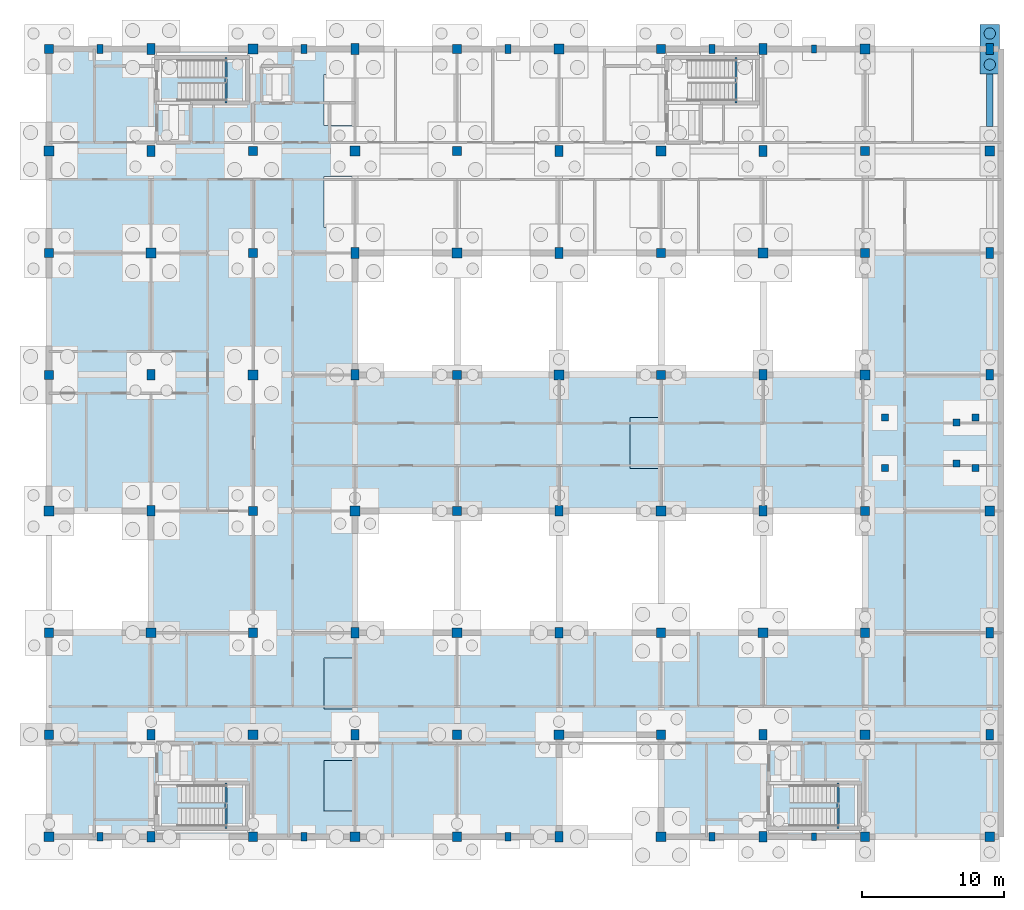
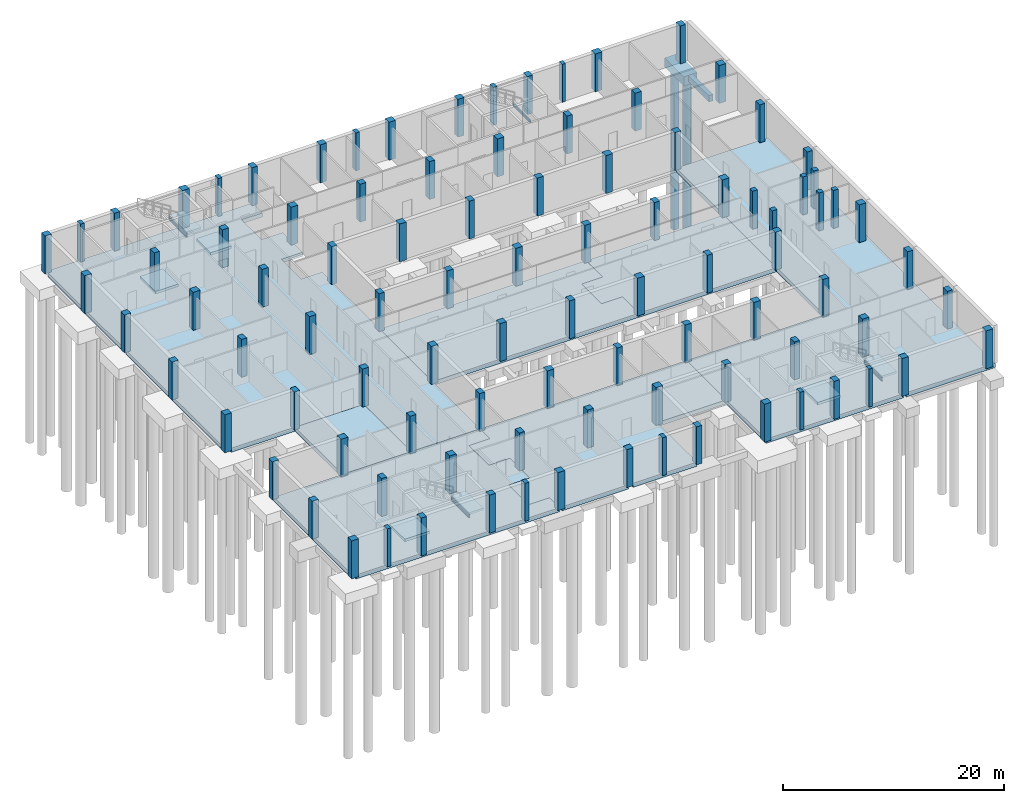
# One storey, part 5 of 17: 96 columns, 14 slabs, 4 beams, 2 footings, 2 piles, 3 elements without a shape of their own.
"""IFC4 building model written with IfcOpenShell, lengths in metres."""

from ifc_helpers import new_model, si_unit, direction, frame, origin, origin_2d, place, context, subcontext, project, spatial, polyline, rectangle, circle, i_section, outline, extrude, material, layer, layer_set, material_profile, profile_set, type_object, element, aggregate, save


model = new_model("IFC4")

# Units and contexts
model_context = context("Model", 3, precision=1e-05, world=origin(), true_north=direction((0.0, 1.0)))
body_context = subcontext(model_context, "Body", "Model", "MODEL_VIEW")
ifc_project = project(units=[si_unit("LENGTHUNIT", "METRE"), si_unit("AREAUNIT", "SQUARE_METRE"), si_unit("VOLUMEUNIT", "CUBIC_METRE"), si_unit("PLANEANGLEUNIT", "RADIAN"), si_unit("MASSUNIT", "GRAM", prefix="KILO")], contexts=[model_context])

# Site, building, storey
site_placement = place(None, origin())
site = spatial("IfcSite", under=ifc_project, at=site_placement, CompositionType="ELEMENT")
building_placement = place(site_placement, origin())
building = spatial("IfcBuilding", under=site, at=building_placement, Name="Hawrajan Terrace Health Centre", CompositionType="ELEMENT")
storey_placement = place(building_placement, frame((0.0, 0.0, -4.5)))
storey = spatial("IfcBuildingStorey", under=building, at=storey_placement, Name="B1", CompositionType="ELEMENT", Elevation=-4.5)

# Piles
ifc_material_1 = material(Name="Concrete C40/50", Category="concrete")
ifc_material_profile_1 = material_profile(ifc_material_1, circle(Radius=0.39990234375, at=origin_2d()), Name="BP 800")
ifc_profile_set_1 = profile_set([ifc_material_profile_1], Name="Concrete C40/50")
pile_type = type_object("IfcPileType", Name="BoredPile_800", PredefinedType="BORED", material=ifc_profile_set_1)
for number, where, z_axis, x_axis, name in (
    (1, (71.0, 58.699951171875, -0.550048828125), (0.0, 0.0, -1.0), (1.0, 0.0, 0.0), "Bored pile P-241"),
    (2, (71.0, 60.89990234375, -0.550048828125), (0.0, 0.0, -1.0), (1.0, 0.0, 0.0), "Bored pile P-242"),
):
    element("IfcPile", number, at=place(storey_placement, frame(where, z_axis=z_axis, x_axis=x_axis)), inside=storey, type_object=pile_type, Name=name, PredefinedType="BORED", context=body_context, shape_type="SweptSolid", body=[
        extrude(circle(Radius=0.39990234375, at=origin_2d()), origin(), (0.0, 0.0, 1.0), 18.5),
    ])

# Footings
ifc_material_profile_2 = material_profile(ifc_material_1, rectangle(XDim=0.449951171875, YDim=0.699951171875, at=origin_2d()), Name="RC BM 450x700")
ifc_profile_set_2 = profile_set([ifc_material_profile_2], Name="Concrete C40/50")
footing_type_1 = type_object("IfcFootingType", Name="GroundBeam_450x700", PredefinedType="FOOTING_BEAM", material=ifc_profile_set_2)
footing_1_placement = place(storey_placement, frame((71.0, 54.35009765625, -0.800048828125), z_axis=(0.0, 1.0, 0.0), x_axis=(-1.0, 0.0, 0.0)))
element("IfcFooting", 3, at=footing_1_placement, inside=storey, type_object=footing_type_1, Name="Ground tie beam GB-Y-W-10-7", PredefinedType="FOOTING_BEAM", context=body_context, shape_type="SweptSolid", body=[
    extrude(rectangle(XDim=0.449951171875, YDim=0.699951171875, at=origin_2d()), origin(), (0.0, 0.0, 1.0), 3.699951171875),
])
ifc_layer_1 = layer(ifc_material_1, 1.0)
ifc_layer_set_1 = layer_set([ifc_layer_1], Name="Concrete C40/50")
footing_type_2 = type_object("IfcFootingType", Name="PileCap_2P800_NS", PredefinedType="PILE_CAP", material=ifc_layer_set_1)
footing_2_placement = place(storey_placement, frame((71.0, 59.800048828125, -1.449951171875), z_axis=(0.0, 0.0, 1.0), x_axis=(1.0, 0.0, 0.0)))
element("IfcFooting", 4, at=footing_2_placement, inside=storey, type_object=footing_type_2, Name="Foundation FT-W-X10-Y8", PredefinedType="PILE_CAP", context=body_context, shape_type="SweptSolid", body=[
    extrude(rectangle(XDim=1.39990234375, YDim=3.5, at=origin_2d()), origin(), (0.0, 0.0, 1.0), 1.0),
])

# Columns
ifc_material_profile_3 = material_profile(ifc_material_1, rectangle(XDim=0.5, YDim=0.5, at=origin_2d()), Name="RC 500x500")
ifc_profile_set_3 = profile_set([ifc_material_profile_3], Name="Concrete C40/50")
column_type_1 = type_object("IfcColumnType", Name="RCCol_500x500", PredefinedType="COLUMN", material=ifc_profile_set_3)
for number, where, z_axis, x_axis, name in (
    (5, (63.60009765625, 30.219970703125, 0.0), (0.0, 0.0, 1.0), (1.0, 0.0, 0.0), "Feature stair support column B1-1"),
    (6, (70.0, 30.219970703125, 0.0), (0.0, 0.0, 1.0), (1.0, 0.0, 0.0), "Feature stair support column B1-2"),
    (7, (70.0, 33.780029296875, 0.0), (0.0, 0.0, 1.0), (1.0, 0.0, 0.0), "Feature stair support column B1-3"),
    (8, (63.60009765625, 33.780029296875, 0.0), (0.0, 0.0, 1.0), (1.0, 0.0, 0.0), "Feature stair support column B1-4"),
    (9, (68.64990234375, 30.550048828125, 0.0), (0.0, 0.0, 1.0), (1.0, 0.0, 0.0), "Feature stair mid base column 1"),
    (10, (68.64990234375, 33.449951171875, 0.0), (0.0, 0.0, 1.0), (1.0, 0.0, 0.0), "Feature stair mid base column 2"),
):
    element("IfcColumn", number, at=place(storey_placement, frame(where, z_axis=z_axis, x_axis=x_axis)), inside=storey, type_object=column_type_1, Name=name, PredefinedType="COLUMN", context=body_context, shape_type="SweptSolid", body=[
        extrude(rectangle(XDim=0.5, YDim=0.5, at=origin_2d()), origin(), (0.0, 0.0, 1.0), 4.199951171875),
    ])
ifc_material_profile_4 = material_profile(ifc_material_1, rectangle(XDim=0.550048828125, YDim=0.75, at=origin_2d()), Name="RC 550x750")
ifc_profile_set_4 = profile_set([ifc_material_profile_4], Name="Concrete C40/50")
column_type_2 = type_object("IfcColumnType", Name="RCCol_550x750", PredefinedType="COLUMN", material=ifc_profile_set_4)
for number, where, z_axis, x_axis, name in (
    (11, (11.800048828125, 4.199951171875, 0.0), (0.0, 0.0, 1.0), (1.0, 0.0, 0.0), "Column COL-B1-W-X02-Y1"),
    (12, (11.800048828125, 11.39990234375, 0.0), (0.0, 0.0, 1.0), (1.0, 0.0, 0.0), "Column COL-B1-W-X02-Y2"),
    (13, (11.800048828125, 27.199951171875, 0.0), (0.0, 0.0, 1.0), (1.0, 0.0, 0.0), "Column COL-B1-W-X02-Y4"),
    (14, (11.800048828125, 36.800048828125, 0.0), (0.0, 0.0, 1.0), (1.0, 0.0, 0.0), "Column COL-B1-W-X02-Y5"),
    (15, (11.800048828125, 52.60009765625, 0.0), (0.0, 0.0, 1.0), (1.0, 0.0, 0.0), "Column COL-B1-W-X02-Y7"),
    (16, (11.800048828125, 59.800048828125, 0.0), (0.0, 0.0, 1.0), (1.0, 0.0, 0.0), "Column COL-B1-W-X02-Y8"),
    (17, (26.199951171875, 11.39990234375, 0.0), (0.0, 0.0, 1.0), (1.0, 0.0, 0.0), "Column COL-B1-W-X04-Y2"),
    (18, (26.199951171875, 18.60009765625, 0.0), (0.0, 0.0, 1.0), (1.0, 0.0, 0.0), "Column COL-B1-W-X04-Y3"),
    (19, (26.199951171875, 36.800048828125, 0.0), (0.0, 0.0, 1.0), (1.0, 0.0, 0.0), "Column COL-B1-W-X04-Y5"),
    (20, (26.199951171875, 45.39990234375, 0.0), (0.0, 0.0, 1.0), (1.0, 0.0, 0.0), "Column COL-B1-W-X04-Y6"),
    (21, (26.199951171875, 59.800048828125, 0.0), (0.0, 0.0, 1.0), (1.0, 0.0, 0.0), "Column COL-B1-W-X04-Y8"),
    (22, (40.60009765625, 4.199951171875, 0.0), (0.0, 0.0, 1.0), (1.0, 0.0, 0.0), "Column COL-B1-W-X06-Y1"),
    (23, (40.60009765625, 18.60009765625, 0.0), (0.0, 0.0, 1.0), (1.0, 0.0, 0.0), "Column COL-B1-W-X06-Y3"),
    (24, (40.60009765625, 27.199951171875, 0.0), (0.0, 0.0, 1.0), (1.0, 0.0, 0.0), "Column COL-B1-W-X06-Y4"),
    (25, (40.60009765625, 45.39990234375, 0.0), (0.0, 0.0, 1.0), (1.0, 0.0, 0.0), "Column COL-B1-W-X06-Y6"),
    (26, (40.60009765625, 52.60009765625, 0.0), (0.0, 0.0, 1.0), (1.0, 0.0, 0.0), "Column COL-B1-W-X06-Y7"),
    (27, (55.0, 4.199951171875, 0.0), (0.0, 0.0, 1.0), (1.0, 0.0, 0.0), "Column COL-B1-W-X08-Y1"),
    (28, (55.0, 11.39990234375, 0.0), (0.0, 0.0, 1.0), (1.0, 0.0, 0.0), "Column COL-B1-W-X08-Y2"),
    (29, (55.0, 27.199951171875, 0.0), (0.0, 0.0, 1.0), (1.0, 0.0, 0.0), "Column COL-B1-W-X08-Y4"),
    (30, (55.0, 36.800048828125, 0.0), (0.0, 0.0, 1.0), (1.0, 0.0, 0.0), "Column COL-B1-W-X08-Y5"),
    (31, (55.0, 52.60009765625, 0.0), (0.0, 0.0, 1.0), (1.0, 0.0, 0.0), "Column COL-B1-W-X08-Y7"),
    (32, (55.0, 59.800048828125, 0.0), (0.0, 0.0, 1.0), (1.0, 0.0, 0.0), "Column COL-B1-W-X08-Y8"),
    (33, (71.0, 11.39990234375, 0.0), (0.0, 0.0, 1.0), (1.0, 0.0, 0.0), "Column COL-B1-W-X10-Y2"),
    (34, (71.0, 18.60009765625, 0.0), (0.0, 0.0, 1.0), (1.0, 0.0, 0.0), "Column COL-B1-W-X10-Y3"),
    (35, (71.0, 36.800048828125, 0.0), (0.0, 0.0, 1.0), (1.0, 0.0, 0.0), "Column COL-B1-W-X10-Y5"),
    (36, (71.0, 45.39990234375, 0.0), (0.0, 0.0, 1.0), (1.0, 0.0, 0.0), "Column COL-B1-W-X10-Y6"),
    (37, (71.0, 59.800048828125, 0.0), (0.0, 0.0, 1.0), (1.0, 0.0, 0.0), "Column COL-B1-W-X10-Y8"),
):
    element("IfcColumn", number, at=place(storey_placement, frame(where, z_axis=z_axis, x_axis=x_axis)), inside=storey, type_object=column_type_2, Name=name, PredefinedType="COLUMN", context=body_context, shape_type="SweptSolid", body=[
        extrude(rectangle(XDim=0.550048828125, YDim=0.75, at=origin_2d()), origin(), (0.0, 0.0, 1.0), 4.199951171875),
    ])
ifc_material_profile_5 = material_profile(ifc_material_1, rectangle(XDim=0.64990234375, YDim=0.64990234375, at=origin_2d()), Name="RC 650x650")
ifc_profile_set_5 = profile_set([ifc_material_profile_5], Name="Concrete C40/50")
column_type_3 = type_object("IfcColumnType", Name="RCCol_650x650", PredefinedType="COLUMN", material=ifc_profile_set_5)
for number, where, z_axis, x_axis, name in (
    (38, (4.60009765625, 11.39990234375, 0.0), (0.0, 0.0, 1.0), (1.0, 0.0, 0.0), "Column COL-B1-W-X01-Y2"),
    (39, (4.60009765625, 18.60009765625, 0.0), (0.0, 0.0, 1.0), (1.0, 0.0, 0.0), "Column COL-B1-W-X01-Y3"),
    (40, (4.60009765625, 36.800048828125, 0.0), (0.0, 0.0, 1.0), (1.0, 0.0, 0.0), "Column COL-B1-W-X01-Y5"),
    (41, (4.60009765625, 45.39990234375, 0.0), (0.0, 0.0, 1.0), (1.0, 0.0, 0.0), "Column COL-B1-W-X01-Y6"),
    (42, (4.60009765625, 59.800048828125, 0.0), (0.0, 0.0, 1.0), (1.0, 0.0, 0.0), "Column COL-B1-W-X01-Y8"),
    (43, (19.0, 4.199951171875, 0.0), (0.0, 0.0, 1.0), (1.0, 0.0, 0.0), "Column COL-B1-W-X03-Y1"),
    (44, (19.0, 18.60009765625, 0.0), (0.0, 0.0, 1.0), (1.0, 0.0, 0.0), "Column COL-B1-W-X03-Y3"),
    (45, (19.0, 27.199951171875, 0.0), (0.0, 0.0, 1.0), (1.0, 0.0, 0.0), "Column COL-B1-W-X03-Y4"),
    (46, (19.0, 45.39990234375, 0.0), (0.0, 0.0, 1.0), (1.0, 0.0, 0.0), "Column COL-B1-W-X03-Y6"),
    (47, (19.0, 52.60009765625, 0.0), (0.0, 0.0, 1.0), (1.0, 0.0, 0.0), "Column COL-B1-W-X03-Y7"),
    (48, (33.39990234375, 4.199951171875, 0.0), (0.0, 0.0, 1.0), (1.0, 0.0, 0.0), "Column COL-B1-W-X05-Y1"),
    (49, (33.39990234375, 11.39990234375, 0.0), (0.0, 0.0, 1.0), (1.0, 0.0, 0.0), "Column COL-B1-W-X05-Y2"),
    (50, (33.39990234375, 27.199951171875, 0.0), (0.0, 0.0, 1.0), (1.0, 0.0, 0.0), "Column COL-B1-W-X05-Y4"),
    (51, (33.39990234375, 36.800048828125, 0.0), (0.0, 0.0, 1.0), (1.0, 0.0, 0.0), "Column COL-B1-W-X05-Y5"),
    (52, (33.39990234375, 52.60009765625, 0.0), (0.0, 0.0, 1.0), (1.0, 0.0, 0.0), "Column COL-B1-W-X05-Y7"),
    (53, (33.39990234375, 59.800048828125, 0.0), (0.0, 0.0, 1.0), (1.0, 0.0, 0.0), "Column COL-B1-W-X05-Y8"),
    (54, (47.800048828125, 11.39990234375, 0.0), (0.0, 0.0, 1.0), (1.0, 0.0, 0.0), "Column COL-B1-W-X07-Y2"),
    (55, (47.800048828125, 18.60009765625, 0.0), (0.0, 0.0, 1.0), (1.0, 0.0, 0.0), "Column COL-B1-W-X07-Y3"),
    (56, (47.800048828125, 36.800048828125, 0.0), (0.0, 0.0, 1.0), (1.0, 0.0, 0.0), "Column COL-B1-W-X07-Y5"),
    (57, (47.800048828125, 45.39990234375, 0.0), (0.0, 0.0, 1.0), (1.0, 0.0, 0.0), "Column COL-B1-W-X07-Y6"),
    (58, (47.800048828125, 59.800048828125, 0.0), (0.0, 0.0, 1.0), (1.0, 0.0, 0.0), "Column COL-B1-W-X07-Y8"),
    (59, (62.199951171875, 4.199951171875, 0.0), (0.0, 0.0, 1.0), (1.0, 0.0, 0.0), "Column COL-B1-W-X09-Y1"),
    (60, (62.199951171875, 18.60009765625, 0.0), (0.0, 0.0, 1.0), (1.0, 0.0, 0.0), "Column COL-B1-W-X09-Y3"),
    (61, (62.199951171875, 27.199951171875, 0.0), (0.0, 0.0, 1.0), (1.0, 0.0, 0.0), "Column COL-B1-W-X09-Y4"),
    (62, (62.199951171875, 45.39990234375, 0.0), (0.0, 0.0, 1.0), (1.0, 0.0, 0.0), "Column COL-B1-W-X09-Y6"),
    (63, (62.199951171875, 52.60009765625, 0.0), (0.0, 0.0, 1.0), (1.0, 0.0, 0.0), "Column COL-B1-W-X09-Y7"),
):
    element("IfcColumn", number, at=place(storey_placement, frame(where, z_axis=z_axis, x_axis=x_axis)), inside=storey, type_object=column_type_3, Name=name, PredefinedType="COLUMN", context=body_context, shape_type="SweptSolid", body=[
        extrude(rectangle(XDim=0.64990234375, YDim=0.64990234375, at=origin_2d()), origin(), (0.0, 0.0, 1.0), 4.199951171875),
    ])
ifc_material_profile_6 = material_profile(ifc_material_1, rectangle(XDim=0.699951171875, YDim=0.699951171875, at=origin_2d()), Name="RC 700x700")
ifc_profile_set_6 = profile_set([ifc_material_profile_6], Name="Concrete C40/50")
column_type_4 = type_object("IfcColumnType", Name="RCCol_700x700", PredefinedType="COLUMN", material=ifc_profile_set_6)
for number, where, z_axis, x_axis, name in (
    (64, (4.60009765625, 4.199951171875, 0.0), (0.0, 0.0, 1.0), (1.0, 0.0, 0.0), "Column COL-B1-W-X01-Y1"),
    (65, (4.60009765625, 27.199951171875, 0.0), (0.0, 0.0, 1.0), (1.0, 0.0, 0.0), "Column COL-B1-W-X01-Y4"),
    (66, (4.60009765625, 52.60009765625, 0.0), (0.0, 0.0, 1.0), (1.0, 0.0, 0.0), "Column COL-B1-W-X01-Y7"),
    (67, (11.800048828125, 18.60009765625, 0.0), (0.0, 0.0, 1.0), (1.0, 0.0, 0.0), "Column COL-B1-W-X02-Y3"),
    (68, (11.800048828125, 45.39990234375, 0.0), (0.0, 0.0, 1.0), (1.0, 0.0, 0.0), "Column COL-B1-W-X02-Y6"),
    (69, (19.0, 11.39990234375, 0.0), (0.0, 0.0, 1.0), (1.0, 0.0, 0.0), "Column COL-B1-W-X03-Y2"),
    (70, (19.0, 36.800048828125, 0.0), (0.0, 0.0, 1.0), (1.0, 0.0, 0.0), "Column COL-B1-W-X03-Y5"),
    (71, (19.0, 59.800048828125, 0.0), (0.0, 0.0, 1.0), (1.0, 0.0, 0.0), "Column COL-B1-W-X03-Y8"),
    (72, (26.199951171875, 4.199951171875, 0.0), (0.0, 0.0, 1.0), (1.0, 0.0, 0.0), "Column COL-B1-W-X04-Y1"),
    (73, (26.199951171875, 27.199951171875, 0.0), (0.0, 0.0, 1.0), (1.0, 0.0, 0.0), "Column COL-B1-W-X04-Y4"),
    (74, (26.199951171875, 52.60009765625, 0.0), (0.0, 0.0, 1.0), (1.0, 0.0, 0.0), "Column COL-B1-W-X04-Y7"),
    (75, (33.39990234375, 18.60009765625, 0.0), (0.0, 0.0, 1.0), (1.0, 0.0, 0.0), "Column COL-B1-W-X05-Y3"),
    (76, (33.39990234375, 45.39990234375, 0.0), (0.0, 0.0, 1.0), (1.0, 0.0, 0.0), "Column COL-B1-W-X05-Y6"),
    (77, (40.60009765625, 11.39990234375, 0.0), (0.0, 0.0, 1.0), (1.0, 0.0, 0.0), "Column COL-B1-W-X06-Y2"),
    (78, (40.60009765625, 36.800048828125, 0.0), (0.0, 0.0, 1.0), (1.0, 0.0, 0.0), "Column COL-B1-W-X06-Y5"),
    (79, (40.60009765625, 59.800048828125, 0.0), (0.0, 0.0, 1.0), (1.0, 0.0, 0.0), "Column COL-B1-W-X06-Y8"),
    (80, (47.800048828125, 4.199951171875, 0.0), (0.0, 0.0, 1.0), (1.0, 0.0, 0.0), "Column COL-B1-W-X07-Y1"),
    (81, (47.800048828125, 27.199951171875, 0.0), (0.0, 0.0, 1.0), (1.0, 0.0, 0.0), "Column COL-B1-W-X07-Y4"),
    (82, (47.800048828125, 52.60009765625, 0.0), (0.0, 0.0, 1.0), (1.0, 0.0, 0.0), "Column COL-B1-W-X07-Y7"),
    (83, (55.0, 18.60009765625, 0.0), (0.0, 0.0, 1.0), (1.0, 0.0, 0.0), "Column COL-B1-W-X08-Y3"),
    (84, (55.0, 45.39990234375, 0.0), (0.0, 0.0, 1.0), (1.0, 0.0, 0.0), "Column COL-B1-W-X08-Y6"),
    (85, (62.199951171875, 11.39990234375, 0.0), (0.0, 0.0, 1.0), (1.0, 0.0, 0.0), "Column COL-B1-W-X09-Y2"),
    (86, (62.199951171875, 36.800048828125, 0.0), (0.0, 0.0, 1.0), (1.0, 0.0, 0.0), "Column COL-B1-W-X09-Y5"),
    (87, (62.199951171875, 59.800048828125, 0.0), (0.0, 0.0, 1.0), (1.0, 0.0, 0.0), "Column COL-B1-W-X09-Y8"),
    (88, (71.0, 4.199951171875, 0.0), (0.0, 0.0, 1.0), (1.0, 0.0, 0.0), "Column COL-B1-W-X10-Y1"),
    (89, (71.0, 27.199951171875, 0.0), (0.0, 0.0, 1.0), (1.0, 0.0, 0.0), "Column COL-B1-W-X10-Y4"),
    (90, (71.0, 52.60009765625, 0.0), (0.0, 0.0, 1.0), (1.0, 0.0, 0.0), "Column COL-B1-W-X10-Y7"),
):
    element("IfcColumn", number, at=place(storey_placement, frame(where, z_axis=z_axis, x_axis=x_axis)), inside=storey, type_object=column_type_4, Name=name, PredefinedType="COLUMN", context=body_context, shape_type="SweptSolid", body=[
        extrude(rectangle(XDim=0.699951171875, YDim=0.699951171875, at=origin_2d()), origin(), (0.0, 0.0, 1.0), 4.199951171875),
    ])
ifc_material_profile_7 = material_profile(ifc_material_1, rectangle(XDim=0.35009765625, YDim=0.550048828125, at=origin_2d()), Name="RC PIL 350x550")
ifc_profile_set_7 = profile_set([ifc_material_profile_7], Name="Concrete C40/50")
column_type_5 = type_object("IfcColumnType", Name="RCPilaster_350x550", PredefinedType="PILASTER", material=ifc_profile_set_7)
for number, where, z_axis, x_axis, name in (
    (91, (58.60009765625, 4.199951171875, 0.0), (0.0, 0.0, 1.0), (1.0, 0.0, 0.0), "Art Deco fluted pilaster B1-08-Y1"),
    (92, (58.60009765625, 59.800048828125, 0.0), (0.0, 0.0, 1.0), (1.0, 0.0, 0.0), "Art Deco fluted pilaster B1-08-Y8"),
):
    element("IfcColumn", number, at=place(storey_placement, frame(where, z_axis=z_axis, x_axis=x_axis)), inside=storey, type_object=column_type_5, Name=name, PredefinedType="PILASTER", context=body_context, shape_type="SweptSolid", body=[
        extrude(rectangle(XDim=0.35009765625, YDim=0.550048828125, at=origin_2d()), origin(), (0.0, 0.0, 1.0), 4.199951171875),
    ])
ifc_material_profile_8 = material_profile(ifc_material_1, rectangle(XDim=0.39990234375, YDim=0.6201171875, at=origin_2d()), Name="RC PIL 400x620")
ifc_profile_set_8 = profile_set([ifc_material_profile_8], Name="Concrete C40/50")
column_type_6 = type_object("IfcColumnType", Name="RCPilaster_400x620", PredefinedType="PILASTER", material=ifc_profile_set_8)
for number, where, z_axis, x_axis, name in (
    (93, (8.199951171875, 4.199951171875, 0.0), (0.0, 0.0, 1.0), (1.0, 0.0, 0.0), "Art Deco fluted pilaster B1-01-Y1"),
    (94, (8.199951171875, 59.800048828125, 0.0), (0.0, 0.0, 1.0), (1.0, 0.0, 0.0), "Art Deco fluted pilaster B1-01-Y8"),
    (95, (22.60009765625, 4.199951171875, 0.0), (0.0, 0.0, 1.0), (1.0, 0.0, 0.0), "Art Deco fluted pilaster B1-03-Y1"),
    (96, (22.60009765625, 59.800048828125, 0.0), (0.0, 0.0, 1.0), (1.0, 0.0, 0.0), "Art Deco fluted pilaster B1-03-Y8"),
    (97, (37.0, 4.199951171875, 0.0), (0.0, 0.0, 1.0), (1.0, 0.0, 0.0), "Art Deco fluted pilaster B1-05-Y1"),
    (98, (37.0, 59.800048828125, 0.0), (0.0, 0.0, 1.0), (1.0, 0.0, 0.0), "Art Deco fluted pilaster B1-05-Y8"),
    (99, (51.39990234375, 4.199951171875, 0.0), (0.0, 0.0, 1.0), (1.0, 0.0, 0.0), "Art Deco fluted pilaster B1-07-Y1"),
    (100, (51.39990234375, 59.800048828125, 0.0), (0.0, 0.0, 1.0), (1.0, 0.0, 0.0), "Art Deco fluted pilaster B1-07-Y8"),
):
    element("IfcColumn", number, at=place(storey_placement, frame(where, z_axis=z_axis, x_axis=x_axis)), inside=storey, type_object=column_type_6, Name=name, PredefinedType="PILASTER", context=body_context, shape_type="SweptSolid", body=[
        extrude(rectangle(XDim=0.39990234375, YDim=0.6201171875, at=origin_2d()), origin(), (0.0, 0.0, 1.0), 4.199951171875),
    ])

# Beams
ifc_material_2 = material(Name="Steel S355", Category="steel")
ifc_material_profile_9 = material_profile(ifc_material_2, i_section(OverallWidth=0.14990234375, OverallDepth=0.300048828125, WebThickness=0.007080078125, FlangeThickness=0.0107421875, FilletRadius=0.014892578125, at=origin_2d()), Name="IPE 300")
ifc_profile_set_9 = profile_set([ifc_material_profile_9], Name="Steel S355")
beam_type = type_object("IfcBeamType", Name="SteelBeam_IPE300", PredefinedType="JOIST", material=ifc_profile_set_9)
for number, where, z_axis, x_axis, name in (
    (101, (17.10009765625, 56.0, 1.8798828125), (0.0, 1.0, 0.0), (-1.0, 0.0, 0.0), "Stair half-landing trimmer ST-1-B1-B1"),
    (102, (53.10009765625, 56.0, 1.8798828125), (0.0, 1.0, 0.0), (-1.0, 0.0, 0.0), "Stair half-landing trimmer ST-2-B1-B1"),
    (103, (17.10009765625, 4.800048828125, 1.8798828125), (0.0, 1.0, 0.0), (-1.0, 0.0, 0.0), "Stair half-landing trimmer ST-3-B1-B1"),
    (104, (60.300048828125, 4.800048828125, 1.8798828125), (0.0, 1.0, 0.0), (-1.0, 0.0, 0.0), "Stair half-landing trimmer ST-4-B1-B1"),
):
    element("IfcBeam", number, at=place(storey_placement, frame(where, z_axis=z_axis, x_axis=x_axis)), inside=storey, type_object=beam_type, Name=name, PredefinedType="JOIST", context=body_context, shape_type="SweptSolid", body=[
        extrude(i_section(OverallWidth=0.14990234375, OverallDepth=0.300048828125, WebThickness=0.007080078125, FlangeThickness=0.0107421875, FilletRadius=0.014892578125, at=origin_2d()), origin(), (0.0, 0.0, 1.0), 3.199951171875),
    ])

# Slabs
ifc_layer_2 = layer(ifc_material_1, 0.449951171875)
ifc_layer_set_2 = layer_set([ifc_layer_2], Name="Concrete C40/50")
slab_type_1 = type_object("IfcSlabType", Name="BaseSlab_RC450", PredefinedType="BASESLAB", material=ifc_layer_set_2)
slab_1_placement = place(storey_placement, frame((0.0, 0.0, -0.449951171875)))
element("IfcSlab", 105, at=slab_1_placement, inside=storey, type_object=slab_type_1, Name="Structural slab SL-B1-W-V1-Z0-1", PredefinedType="BASESLAB", context=body_context, shape_type="SweptSolid", body=[
    extrude(outline(polyline([(11.800048828125, 18.60009765625), (11.800048828125, 27.199951171875), (19.0, 27.199951171875), (19.0, 18.60009765625), (11.800048828125, 18.60009765625)])), origin(), (0.0, 0.0, 1.0), 0.449951171875),
])
slab_2_placement = place(storey_placement, frame((0.0, 0.0, -0.449951171875)))
element("IfcSlab", 106, at=slab_2_placement, inside=storey, type_object=slab_type_1, Name="Structural slab SL-B1-W-V1-Z1-1", PredefinedType="BASESLAB", context=body_context, shape_type="SweptSolid", body=[
    extrude(outline(polyline([(33.39990234375, 36.800048828125), (40.60009765625, 36.800048828125), (47.800048828125, 36.800048828125), (47.800048828125, 33.800048828125), (45.60009765625, 33.800048828125), (45.60009765625, 30.199951171875), (47.800048828125, 30.199951171875), (47.800048828125, 27.199951171875), (40.60009765625, 27.199951171875), (33.39990234375, 27.199951171875), (26.199951171875, 27.199951171875), (26.199951171875, 36.800048828125), (33.39990234375, 36.800048828125)])), origin(), (0.0, 0.0, 1.0), 0.449951171875),
])
slab_3_placement = place(storey_placement, frame((0.0, 0.0, -0.449951171875)))
element("IfcSlab", 107, at=slab_3_placement, inside=storey, type_object=slab_type_1, Name="Structural slab SL-B1-W-V1-Z2-1", PredefinedType="BASESLAB", context=body_context, shape_type="SweptSolid", body=[
    extrude(outline(polyline([(55.0, 36.800048828125), (62.199951171875, 36.800048828125), (62.199951171875, 27.199951171875), (55.0, 27.199951171875), (47.802001953125, 27.199951171875), (47.802001953125, 30.201904296875), (45.60205078125, 30.201904296875), (45.60205078125, 33.798095703125), (47.802001953125, 33.798095703125), (47.802001953125, 36.800048828125), (55.0, 36.800048828125)])), origin(), (0.0, 0.0, 1.0), 0.449951171875),
])
slab_4_placement = place(storey_placement, frame((0.0, 0.0, -0.449951171875)))
element("IfcSlab", 108, at=slab_4_placement, inside=storey, type_object=slab_type_1, Name="Structural slab SL-B1-W-V2-Z0-1", PredefinedType="BASESLAB", context=body_context, shape_type="SweptSolid", body=[
    extrude(outline(polyline([(4.60009765625, 59.52001953125), (4.8798828125, 59.52001953125), (4.8798828125, 59.800048828125), (11.800048828125, 59.800048828125), (19.0, 59.800048828125), (26.199951171875, 59.800048828125), (26.199951171875, 59.52001953125), (26.199951171875, 58.0), (24.0, 58.0), (24.0, 54.39990234375), (26.199951171875, 54.39990234375), (26.199951171875, 52.60009765625), (26.199951171875, 50.800048828125), (24.0, 50.800048828125), (24.0, 47.199951171875), (26.199951171875, 47.199951171875), (26.199951171875, 45.39990234375), (26.199951171875, 36.802001953125), (26.197998046875, 36.802001953125), (26.197998046875, 27.197998046875), (26.199951171875, 27.197998046875), (26.199951171875, 18.60009765625), (19.280029296875, 18.60009765625), (19.001953125, 18.60009765625), (19.001953125, 27.201904296875), (11.798095703125, 27.201904296875), (11.798095703125, 27.199951171875), (5.10009765625, 27.199951171875), (5.10009765625, 27.699951171875), (4.60009765625, 27.699951171875), (4.60009765625, 36.800048828125), (4.60009765625, 45.39990234375), (5.10009765625, 45.39990234375), (5.10009765625, 45.89990234375), (4.60009765625, 45.89990234375), (4.60009765625, 52.60009765625), (4.60009765625, 59.52001953125)]), holes=[polyline([(19.280029296875, 45.679931640625), (19.0, 45.679931640625), (19.0, 45.39990234375), (19.280029296875, 45.39990234375), (19.280029296875, 45.679931640625)])]), origin(), (0.0, 0.0, 1.0), 0.449951171875),
])
slab_5_placement = place(storey_placement, frame((0.0, 0.0, -0.449951171875)))
element("IfcSlab", 109, at=slab_5_placement, inside=storey, type_object=slab_type_1, Name="Structural slab SL-B1-W-V3-Z2-1", PredefinedType="BASESLAB", context=body_context, shape_type="SweptSolid", body=[
    extrude(outline(polyline([(62.199951171875, 18.60009765625), (62.199951171875, 27.197998046875), (62.201904296875, 27.197998046875), (62.201904296875, 36.802001953125), (62.199951171875, 36.802001953125), (62.199951171875, 45.39794921875), (62.201904296875, 45.39794921875), (62.201904296875, 45.39990234375), (62.47802734375, 45.39990234375), (62.47802734375, 45.39794921875), (71.794921875, 45.39794921875), (71.794921875, 36.800048828125), (71.794921875, 27.199951171875), (71.794921875, 18.60009765625), (71.794921875, 11.39990234375), (71.794921875, 4.199951171875), (62.47998046875, 4.199951171875), (62.47998046875, 4.47998046875), (62.199951171875, 4.47998046875), (62.199951171875, 4.199951171875), (55.0, 4.199951171875), (47.800048828125, 4.199951171875), (47.800048828125, 11.39990234375), (47.800048828125, 18.320068359375), (48.080078125, 18.320068359375), (48.080078125, 18.60009765625), (55.0, 18.60009765625), (62.199951171875, 18.60009765625)])), origin(), (0.0, 0.0, 1.0), 0.449951171875),
])
slab_6_placement = place(storey_placement, frame((0.0, 0.0, -0.449951171875)))
element("IfcSlab", 110, at=slab_6_placement, inside=storey, type_object=slab_type_1, Name="Structural slab SL-B1-W-V4-Z0-1", PredefinedType="BASESLAB", context=body_context, shape_type="SweptSolid", body=[
    extrude(outline(polyline([(11.798095703125, 18.60009765625), (11.798095703125, 18.597900390625), (19.0, 18.597900390625), (19.0, 18.320068359375), (19.280029296875, 18.320068359375), (19.280029296875, 18.597900390625), (26.199951171875, 18.597900390625), (26.199951171875, 16.800048828125), (24.0, 16.800048828125), (24.0, 13.199951171875), (26.199951171875, 13.199951171875), (26.199951171875, 11.39990234375), (26.199951171875, 9.60009765625), (24.0, 9.60009765625), (24.0, 6.0), (26.199951171875, 6.0), (26.199951171875, 4.47998046875), (26.199951171875, 4.199951171875), (19.0, 4.199951171875), (11.800048828125, 4.199951171875), (4.8798828125, 4.199951171875), (4.8798828125, 4.47998046875), (4.60009765625, 4.47998046875), (4.60009765625, 11.39990234375), (4.60009765625, 18.60009765625), (11.798095703125, 18.60009765625)])), origin(), (0.0, 0.0, 1.0), 0.449951171875),
])
slab_7_placement = place(storey_placement, frame((0.0, 0.0, -0.449951171875)))
element("IfcSlab", 111, at=slab_7_placement, inside=storey, type_object=slab_type_1, Name="Structural slab SL-B1-W-V4-Z1-1", PredefinedType="BASESLAB", context=body_context, shape_type="SweptSolid", body=[
    extrude(outline(polyline([(33.39990234375, 18.60009765625), (40.60009765625, 18.60009765625), (47.800048828125, 18.60009765625), (47.800048828125, 18.322021484375), (47.798095703125, 18.322021484375), (47.798095703125, 11.39990234375), (40.60009765625, 11.39990234375), (40.60009765625, 4.199951171875), (33.89990234375, 4.199951171875), (33.89990234375, 4.699951171875), (33.39990234375, 4.699951171875), (33.39990234375, 4.199951171875), (26.47998046875, 4.199951171875), (26.47998046875, 4.47998046875), (26.201904296875, 4.47998046875), (26.201904296875, 6.001953125), (24.001953125, 6.001953125), (24.001953125, 9.597900390625), (26.201904296875, 9.597900390625), (26.201904296875, 13.201904296875), (24.001953125, 13.201904296875), (24.001953125, 16.798095703125), (26.201904296875, 16.798095703125), (26.201904296875, 18.597900390625), (26.201904296875, 18.60009765625), (33.39990234375, 18.60009765625)])), origin(), (0.0, 0.0, 1.0), 0.449951171875),
])
ifc_layer_3 = layer(ifc_material_1, 0.300048828125)
ifc_layer_set_3 = layer_set([ifc_layer_3], Name="Concrete C40/50")
slab_type_2 = type_object("IfcSlabType", Name="LiftPitSlab_RC300", PredefinedType="BASESLAB", material=ifc_layer_set_3)
slab_8_placement = place(storey_placement, frame((0.0, 0.0, -1.199951171875)))
element("IfcSlab", 112, at=slab_8_placement, inside=storey, type_object=slab_type_2, Name="Lift pit slab LC-01", PredefinedType="BASESLAB", context=body_context, shape_type="SweptSolid", body=[
    extrude(outline(polyline([(12.199951171875, 53.199951171875), (14.60009765625, 53.199951171875), (14.60009765625, 56.0), (12.199951171875, 56.0), (12.199951171875, 53.199951171875)])), origin(), (0.0, 0.0, 1.0), 0.300048828125),
])
slab_9_placement = place(storey_placement, frame((0.0, 0.0, -1.199951171875)))
element("IfcSlab", 113, at=slab_9_placement, inside=storey, type_object=slab_type_2, Name="Lift pit slab LC-02", PredefinedType="BASESLAB", context=body_context, shape_type="SweptSolid", body=[
    extrude(outline(polyline([(19.60009765625, 56.0), (21.800048828125, 56.0), (21.800048828125, 58.60009765625), (19.60009765625, 58.60009765625), (19.60009765625, 56.0)])), origin(), (0.0, 0.0, 1.0), 0.300048828125),
])
slab_10_placement = place(storey_placement, frame((0.0, 0.0, -1.199951171875)))
element("IfcSlab", 114, at=slab_10_placement, inside=storey, type_object=slab_type_2, Name="Lift pit slab LC-04", PredefinedType="BASESLAB", context=body_context, shape_type="SweptSolid", body=[
    extrude(outline(polyline([(12.199951171875, 8.0), (14.800048828125, 8.0), (14.800048828125, 10.800048828125), (12.199951171875, 10.800048828125), (12.199951171875, 8.0)])), origin(), (0.0, 0.0, 1.0), 0.300048828125),
])
slab_11_placement = place(storey_placement, frame((0.0, 0.0, -1.199951171875)))
element("IfcSlab", 115, at=slab_11_placement, inside=storey, type_object=slab_type_2, Name="Lift pit slab LC-05", PredefinedType="BASESLAB", context=body_context, shape_type="SweptSolid", body=[
    extrude(outline(polyline([(55.39990234375, 8.0), (57.800048828125, 8.0), (57.800048828125, 10.800048828125), (55.39990234375, 10.800048828125), (55.39990234375, 8.0)])), origin(), (0.0, 0.0, 1.0), 0.300048828125),
])

# Stair, slab
stair_type = type_object("IfcStairType", Name="Stair_4500_W1300", PredefinedType="HALF_TURN_STAIR", material=ifc_material_1)
stair_1_placement = place(storey_placement, origin())
stair_1 = element("IfcStair", 116, at=stair_1_placement, inside=storey, type_object=stair_type, Name="Stair ST-1-B1", PredefinedType="HALF_TURN_STAIR")
ifc_layer_4 = layer(ifc_material_1, 0.219970703125)
ifc_layer_set_4 = layer_set([ifc_layer_4], Name="Concrete C40/50")
slab_type_3 = type_object("IfcSlabType", Name="StairLanding_RC220", PredefinedType="LANDING", material=ifc_layer_set_4)
slab_12_placement = place(storey_placement, frame((0.0, 0.0, 2.030029296875)))
slab_12 = element("IfcSlab", 117, at=slab_12_placement, type_object=slab_type_3, Name="Stair half landing ST-1-B1-L1", PredefinedType="LANDING", context=body_context, shape_type="SweptSolid", body=[
    extrude(outline(polyline([(17.10009765625, 56.0), (18.60009765625, 56.0), (18.60009765625, 59.199951171875), (17.10009765625, 59.199951171875), (17.10009765625, 56.0)])), origin(), (0.0, 0.0, 1.0), 0.219970703125),
])
aggregate(stair_1, [slab_12])

stair_2_placement = place(storey_placement, origin())
stair_2 = element("IfcStair", 118, at=stair_2_placement, inside=storey, type_object=stair_type, Name="Stair ST-3-B1", PredefinedType="HALF_TURN_STAIR")
slab_13_placement = place(storey_placement, frame((0.0, 0.0, 2.030029296875)))
slab_13 = element("IfcSlab", 119, at=slab_13_placement, type_object=slab_type_3, Name="Stair half landing ST-3-B1-L1", PredefinedType="LANDING", context=body_context, shape_type="SweptSolid", body=[
    extrude(outline(polyline([(17.10009765625, 4.800048828125), (18.60009765625, 4.800048828125), (18.60009765625, 8.0), (17.10009765625, 8.0), (17.10009765625, 4.800048828125)])), origin(), (0.0, 0.0, 1.0), 0.219970703125),
])
aggregate(stair_2, [slab_13])

stair_3_placement = place(storey_placement, origin())
stair_3 = element("IfcStair", 120, at=stair_3_placement, inside=storey, type_object=stair_type, Name="Stair ST-4-B1", PredefinedType="HALF_TURN_STAIR")
slab_14_placement = place(storey_placement, frame((0.0, 0.0, 2.030029296875)))
slab_14 = element("IfcSlab", 121, at=slab_14_placement, type_object=slab_type_3, Name="Stair half landing ST-4-B1-L1", PredefinedType="LANDING", context=body_context, shape_type="SweptSolid", body=[
    extrude(outline(polyline([(60.300048828125, 4.800048828125), (61.800048828125, 4.800048828125), (61.800048828125, 8.0), (60.300048828125, 8.0), (60.300048828125, 4.800048828125)])), origin(), (0.0, 0.0, 1.0), 0.219970703125),
])
aggregate(stair_3, [slab_14])

save(model, "model.ifc")
